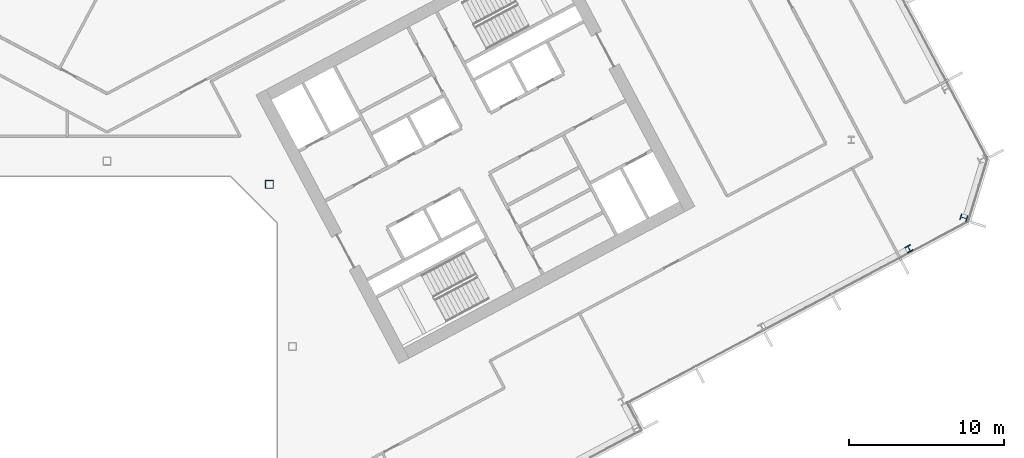
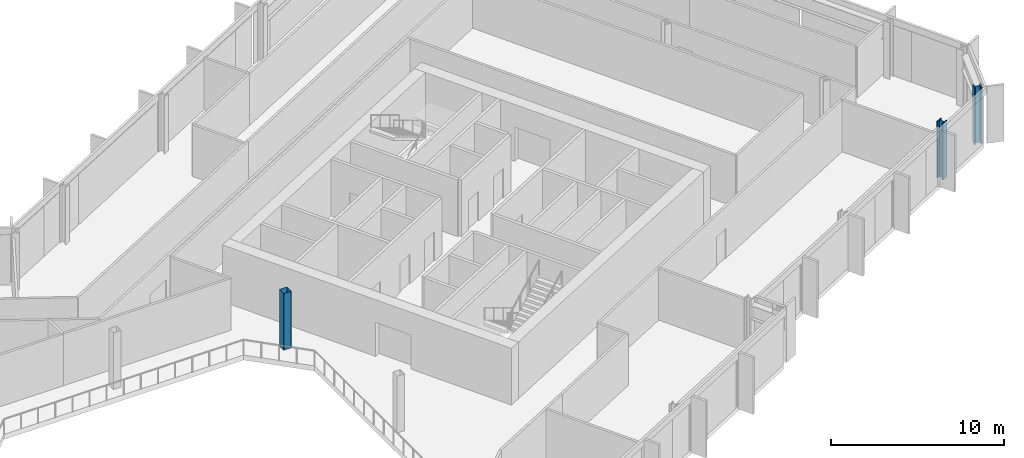
# One storey, part 6 of 28: 3 columns.
"""IFC4 building model written with IfcOpenShell, lengths in metres."""

from ifc_helpers import new_model, si_unit, direction, frame, origin, origin_2d, place, context, subcontext, project, spatial, hollow_rectangle, i_section, extrude, material, material_profile, profile_set, type_object, element, save


model = new_model("IFC4")

# Units and contexts
model_context = context("Model", 3, precision=1e-05, world=origin(), true_north=direction((0.0, 1.0)))
body_context = subcontext(model_context, "Body", "Model", "MODEL_VIEW")
ifc_project = project(units=[si_unit("LENGTHUNIT", "METRE"), si_unit("AREAUNIT", "SQUARE_METRE"), si_unit("VOLUMEUNIT", "CUBIC_METRE"), si_unit("PLANEANGLEUNIT", "RADIAN"), si_unit("MASSUNIT", "GRAM", prefix="KILO")], contexts=[model_context])

# Site, building, storey
site_placement = place(None, origin())
site = spatial("IfcSite", under=ifc_project, at=site_placement, CompositionType="ELEMENT")
building_placement = place(site_placement, origin())
building = spatial("IfcBuilding", under=site, at=building_placement, Name="Cormorant Relay Tower", CompositionType="ELEMENT")
storey_placement = place(building_placement, frame((0.0, 0.0, 162.199951171875)))
storey = spatial("IfcBuildingStorey", under=building, at=storey_placement, Name="L34", CompositionType="ELEMENT", Elevation=162.199951171875)

# Columns
ifc_material_1 = material(Name="Steel ASTM A500 Grade C (Fy 345 MPa)", Category="steel")
ifc_material_profile_1 = material_profile(ifc_material_1, hollow_rectangle(XDim=0.508056640625, YDim=0.508056640625, WallThickness=0.01171875, InnerFilletRadius=0.005859375, OuterFilletRadius=0.017822265625, at=origin_2d()), Name="HSS508x508x12")
ifc_profile_set_1 = profile_set([ifc_material_profile_1], Name="Steel ASTM A500 Grade C (Fy 345 MPa)")
column_type_1 = type_object("IfcColumnType", Name="Column HSS508x508x12", PredefinedType="COLUMN", material=ifc_profile_set_1)
column_1_placement = place(storey_placement, frame((10.5, 10.5, 0.0), z_axis=(0.0, 0.0, 1.0), x_axis=(1.0, 0.0, 0.0)))
element("IfcColumn", 1, at=column_1_placement, inside=storey, type_object=column_type_1, Name="Column L34-024", PredefinedType="COLUMN", context=body_context, shape_type="SweptSolid", body=[
    extrude(hollow_rectangle(XDim=0.508056640625, YDim=0.508056640625, WallThickness=0.01171875, InnerFilletRadius=0.005859375, OuterFilletRadius=0.017822265625, at=origin_2d()), origin(), (0.0, 0.0, 1.0), 4.0),
])
ifc_material_2 = material(Name="Steel ASTM A992 (Fy 345 MPa)", Category="steel")
ifc_material_profile_2 = material_profile(ifc_material_2, i_section(OverallWidth=0.41162109375, OverallDepth=0.434326171875, WebThickness=0.035888671875, FlangeThickness=0.057373046875, FilletRadius=0.01513671875, at=origin_2d()), Name="W360x463")
ifc_profile_set_2 = profile_set([ifc_material_profile_2], Name="Steel ASTM A992 (Fy 345 MPa)")
column_type_2 = type_object("IfcColumnType", Name="Column W360x463", PredefinedType="COLUMN", material=ifc_profile_set_2)
column_2_placement = place(storey_placement, frame((51.905029296875, 6.327880859375, 0.0), z_axis=(0.0, 0.0, 1.0), x_axis=(0.882947592859, 0.469471562786, 0.0)))
element("IfcColumn", 2, at=column_2_placement, inside=storey, type_object=column_type_2, Name="Column L34-020", PredefinedType="COLUMN", context=body_context, shape_type="SweptSolid", body=[
    extrude(i_section(OverallWidth=0.41162109375, OverallDepth=0.434326171875, WebThickness=0.035888671875, FlangeThickness=0.057373046875, FilletRadius=0.01513671875, at=origin_2d()), origin(), (0.0, 0.0, 1.0), 4.0),
])
ifc_material_3 = material(Name="Steel ASTM A992 (Fy 345 MPa)", Category="steel")
ifc_material_profile_3 = material_profile(ifc_material_3, i_section(OverallWidth=0.42431640625, OverallDepth=0.47509765625, WebThickness=0.0478515625, FlangeThickness=0.0771484375, FilletRadius=0.014892578125, at=origin_2d()), Name="W360x634")
ifc_profile_set_3 = profile_set([ifc_material_profile_3], Name="Steel ASTM A992 (Fy 345 MPa)")
column_type_3 = type_object("IfcColumnType", Name="Column W360x634", PredefinedType="COLUMN", material=ifc_profile_set_3)
column_3_placement = place(storey_placement, frame((55.446044921875, 8.3291015625, 0.0), z_axis=(0.0, 0.0, 1.0), x_axis=(0.292371704723, 0.956304755963, 0.0)))
element("IfcColumn", 3, at=column_3_placement, inside=storey, type_object=column_type_3, Name="Column L34-021", PredefinedType="COLUMN", context=body_context, shape_type="SweptSolid", body=[
    extrude(i_section(OverallWidth=0.42431640625, OverallDepth=0.47509765625, WebThickness=0.0478515625, FlangeThickness=0.0771484375, FilletRadius=0.014892578125, at=origin_2d()), origin(), (0.0, 0.0, 1.0), 4.0),
])

save(model, "model.ifc")
